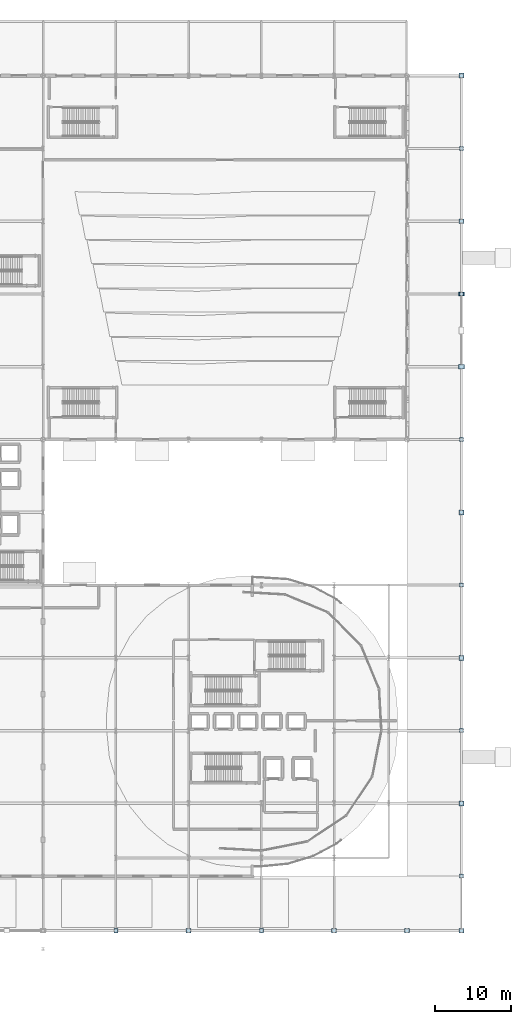
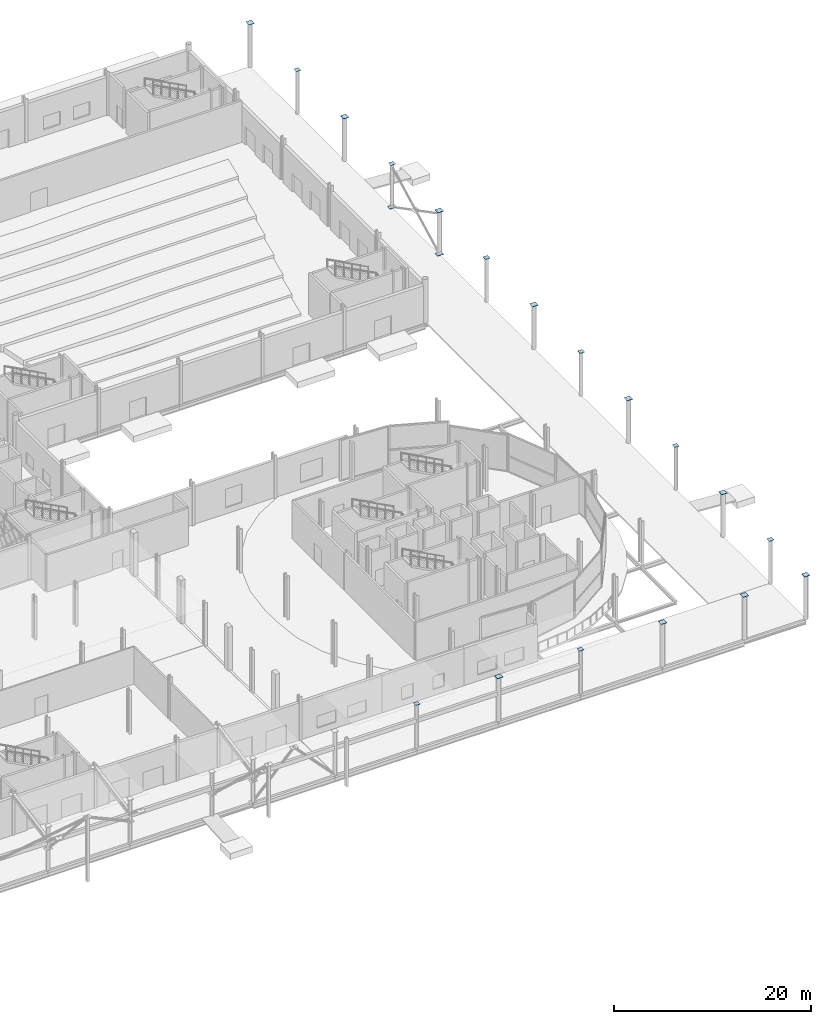
# One storey, part 50 of 84: 20 plates.
"""IFC4 building model written with IfcOpenShell, lengths in metres."""

from ifc_helpers import new_model, si_unit, direction, frame, origin, origin_2d, place, context, subcontext, project, spatial, rectangle, extrude, material, layer, layer_set, type_object, element, save


model = new_model("IFC4")

# Units and contexts
model_context = context("Model", 3, precision=1e-05, world=origin(), true_north=direction((0.0, 1.0)))
body_context = subcontext(model_context, "Body", "Model", "MODEL_VIEW")
ifc_project = project(units=[si_unit("LENGTHUNIT", "METRE"), si_unit("AREAUNIT", "SQUARE_METRE"), si_unit("VOLUMEUNIT", "CUBIC_METRE"), si_unit("PLANEANGLEUNIT", "RADIAN"), si_unit("MASSUNIT", "GRAM", prefix="KILO")], contexts=[model_context])

# Site, building, storey
site_placement = place(None, origin())
site = spatial("IfcSite", under=ifc_project, at=site_placement, CompositionType="ELEMENT")
building_placement = place(site_placement, origin())
building = spatial("IfcBuilding", under=site, at=building_placement, Name="Zevrakil Square Congress Hotel", CompositionType="ELEMENT")
storey_placement = place(building_placement, origin())
storey = spatial("IfcBuildingStorey", under=building, at=storey_placement, Name="L01", CompositionType="ELEMENT", Elevation=0.0)

# Plates
ifc_material_1 = material(Name="Steel S355", Category="steel")
ifc_layer_1 = layer(ifc_material_1, 0.02490234375)
ifc_layer_set_1 = layer_set([ifc_layer_1], Name="Steel S355")
plate_type_1 = type_object("IfcPlateType", Name="PLT-CAP-540", PredefinedType="SHEET", material=ifc_layer_set_1)
for number, where, z_axis, x_axis, name in (
    (1, (127.199951171875, 0.0, 5.400146484375), (0.0, 0.0, 1.0), (1.0, 0.0, 0.0), "L01 colonnade CHS column head closure cap plate 195"),
    (2, (146.39990234375, 0.0, 5.400146484375), (0.0, 0.0, 1.0), (1.0, 0.0, 0.0), "L01 colonnade CHS column head closure cap plate 213"),
    (3, (172.800048828125, 7.199951171875, 5.400146484375), (0.0, 0.0, 1.0), (1.0, 0.0, 0.0), "L01 colonnade CHS column head closure cap plate 243"),
    (4, (172.800048828125, 26.39990234375, 5.400146484375), (0.0, 0.0, 1.0), (1.0, 0.0, 0.0), "L01 colonnade CHS column head closure cap plate 245"),
    (5, (172.800048828125, 45.60009765625, 5.400146484375), (0.0, 0.0, 1.0), (1.0, 0.0, 0.0), "L01 colonnade CHS column head closure cap plate 247"),
    (6, (172.800048828125, 64.800048828125, 5.400146484375), (0.0, 0.0, 1.0), (1.0, 0.0, 0.0), "L01 colonnade CHS column head closure cap plate 249"),
    (7, (172.800048828125, 84.0, 5.400146484375), (0.0, 0.0, 1.0), (1.0, 0.0, 0.0), "L01 colonnade CHS column head closure cap plate 251"),
    (8, (172.800048828125, 103.199951171875, 5.400146484375), (0.0, 0.0, 1.0), (1.0, 0.0, 0.0), "L01 colonnade CHS column head closure cap plate 253"),
):
    element("IfcPlate", number, at=place(storey_placement, frame(where, z_axis=z_axis, x_axis=x_axis)), inside=storey, type_object=plate_type_1, Name=name, PredefinedType="SHEET", context=body_context, shape_type="SweptSolid", body=[
        extrude(rectangle(XDim=0.5400390625, YDim=0.5400390625, at=origin_2d()), origin(), (0.0, 0.0, 1.0), 0.02490234375),
    ])
ifc_material_2 = material(Name="Steel S355", Category="steel")
ifc_layer_2 = layer(ifc_material_2, 0.030029296875)
ifc_layer_set_2 = layer_set([ifc_layer_2], Name="Steel S355")
plate_type_2 = type_object("IfcPlateType", Name="PLT-CAP-650", PredefinedType="SHEET", material=ifc_layer_set_2)
for number, where, z_axis, x_axis, name in (
    (9, (136.800048828125, 0.0, 5.39990234375), (0.0, 0.0, 1.0), (1.0, 0.0, 0.0), "L01 colonnade CHS column head closure cap plate 204"),
    (10, (156.0, 0.0, 5.39990234375), (0.0, 0.0, 1.0), (1.0, 0.0, 0.0), "L01 colonnade CHS column head closure cap plate 220"),
    (11, (165.60009765625, 0.0, 5.39990234375), (0.0, 0.0, 1.0), (1.0, 0.0, 0.0), "L01 colonnade CHS column head closure cap plate 234"),
    (12, (172.800048828125, 0.0, 5.39990234375), (0.0, 0.0, 1.0), (1.0, 0.0, 0.0), "L01 colonnade CHS column head closure cap plate 242"),
    (13, (172.800048828125, 16.800048828125, 5.39990234375), (0.0, 0.0, 1.0), (1.0, 0.0, 0.0), "L01 colonnade CHS column head closure cap plate 244"),
    (14, (172.800048828125, 36.0, 5.39990234375), (0.0, 0.0, 1.0), (1.0, 0.0, 0.0), "L01 colonnade CHS column head closure cap plate 246"),
    (15, (172.800048828125, 55.199951171875, 5.39990234375), (0.0, 0.0, 1.0), (1.0, 0.0, 0.0), "L01 colonnade CHS column head closure cap plate 248"),
    (16, (172.800048828125, 74.39990234375, 5.39990234375), (0.0, 0.0, 1.0), (1.0, 0.0, 0.0), "L01 colonnade CHS column head closure cap plate 250"),
    (17, (172.800048828125, 93.60009765625, 5.39990234375), (0.0, 0.0, 1.0), (1.0, 0.0, 0.0), "L01 colonnade CHS column head closure cap plate 252"),
    (18, (172.800048828125, 112.800048828125, 5.39990234375), (0.0, 0.0, 1.0), (1.0, 0.0, 0.0), "L01 colonnade CHS column head closure cap plate 254"),
):
    element("IfcPlate", number, at=place(storey_placement, frame(where, z_axis=z_axis, x_axis=x_axis)), inside=storey, type_object=plate_type_2, Name=name, PredefinedType="SHEET", context=body_context, shape_type="SweptSolid", body=[
        extrude(rectangle(XDim=0.64990234375, YDim=0.64990234375, at=origin_2d()), origin(), (0.0, 0.0, 1.0), 0.030029296875),
    ])
ifc_material_3 = material(Name="Steel S355", Category="steel")
ifc_layer_3 = layer(ifc_material_3, 0.028076171875)
ifc_layer_set_3 = layer_set([ifc_layer_3], Name="Steel S355")
plate_type_3 = type_object("IfcPlateType", Name="PLT-GUSSET-750", PredefinedType="SHEET", material=ifc_layer_set_3)
for number, where, z_axis, x_axis, name in (
    (19, (172.800048828125, 74.39990234375, 0.0361328125), (0.0, 0.0, 1.0), (1.0, 0.0, 0.0), "L01 brace and strut end gusset connection plate GP-E48"),
    (20, (172.800048828125, 84.0, 0.0361328125), (0.0, 0.0, 1.0), (1.0, 0.0, 0.0), "L01 brace and strut end gusset connection plate GP-E49"),
):
    element("IfcPlate", number, at=place(storey_placement, frame(where, z_axis=z_axis, x_axis=x_axis)), inside=storey, type_object=plate_type_3, Name=name, PredefinedType="SHEET", context=body_context, shape_type="SweptSolid", body=[
        extrude(rectangle(XDim=0.75, YDim=0.550048828125, at=origin_2d()), origin(), (0.0, 0.0, 1.0), 0.028076171875),
    ])

save(model, "model.ifc")
